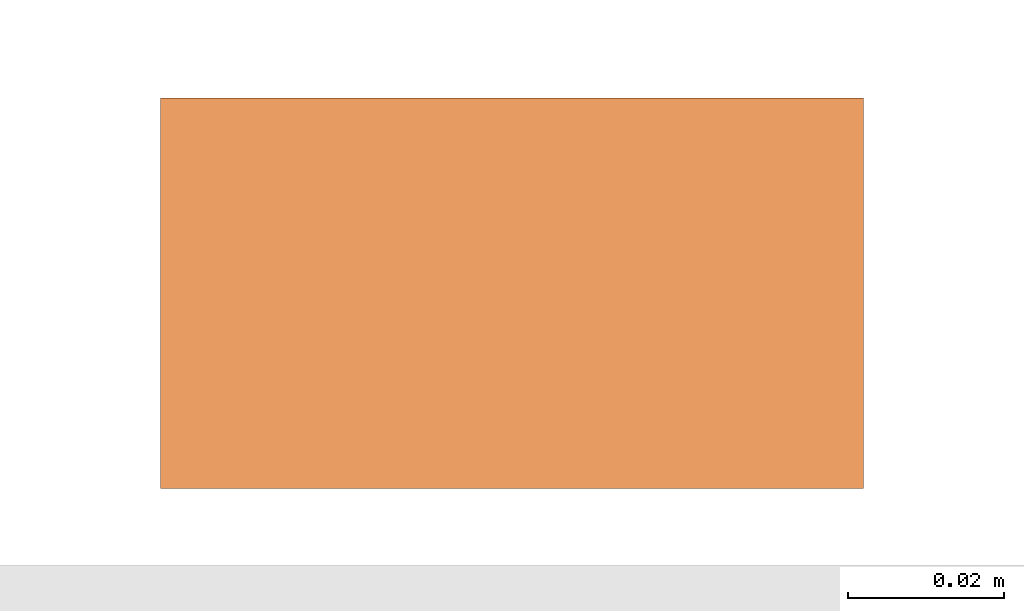
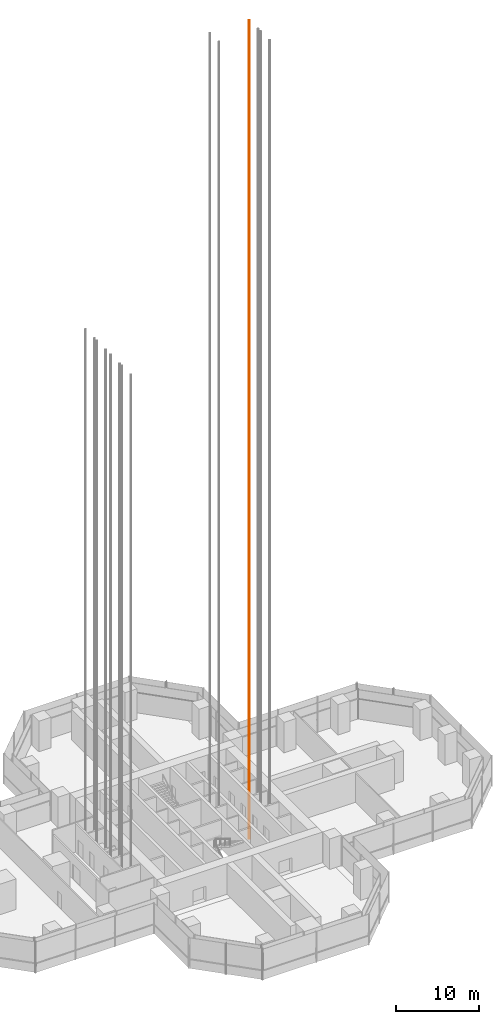
# One storey, part 32 of 34: 1 proxy.
"""IFC4 building model written with IfcOpenShell, lengths in metres."""

from ifc_helpers import new_model, si_unit, direction, frame, origin, origin_2d, place, context, subcontext, project, spatial, rectangle, extrude, material, element, save


model = new_model("IFC4")

# Units and contexts
model_context = context("Model", 3, precision=1e-05, world=origin(), true_north=direction((0.0, 1.0)))
body_context = subcontext(model_context, "Body", "Model", "MODEL_VIEW")
ifc_project = project(units=[si_unit("LENGTHUNIT", "METRE"), si_unit("AREAUNIT", "SQUARE_METRE"), si_unit("VOLUMEUNIT", "CUBIC_METRE"), si_unit("PLANEANGLEUNIT", "RADIAN"), si_unit("MASSUNIT", "GRAM", prefix="KILO")], contexts=[model_context])

# Site, building, storey
site_placement = place(None, origin())
site = spatial("IfcSite", under=ifc_project, at=site_placement, CompositionType="ELEMENT")
building_placement = place(site_placement, origin())
building = spatial("IfcBuilding", under=site, at=building_placement, Name="Mizan Broadcast Tower", CompositionType="ELEMENT")
storey_placement = place(building_placement, frame((0.0, 0.0, 194.39990234375)))
storey = spatial("IfcBuildingStorey", under=building, at=storey_placement, Name="L45", CompositionType="ELEMENT", Elevation=194.39990234375)

# Proxy
ifc_material = material(Name="Steel guide rail", Category="steel")
proxy_placement = place(storey_placement, frame((8.800048828125, 2.4599609375, -3.89990234375), z_axis=(0.0, 0.0, 1.0), x_axis=(1.0, 0.0, 0.0)))
element("IfcBuildingElementProxy", 1, at=proxy_placement, inside=storey, material=ifc_material, Name="Guide rail LD1-2", PredefinedType="NOTDEFINED", context=body_context, shape_type="SweptSolid", body=[
    extrude(rectangle(XDim=0.090087890625, YDim=0.050048828125, at=origin_2d()), origin(), (0.0, 0.0, 1.0), 120.570068359375),
])

save(model, "model.ifc")
